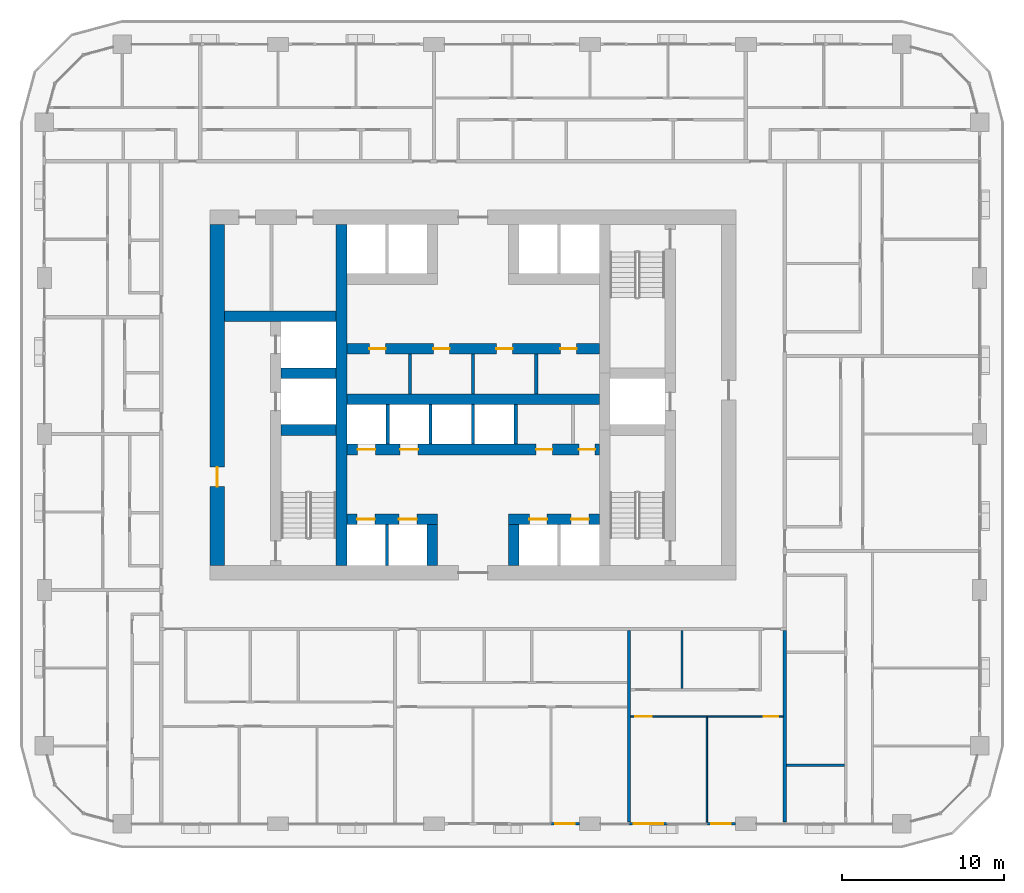
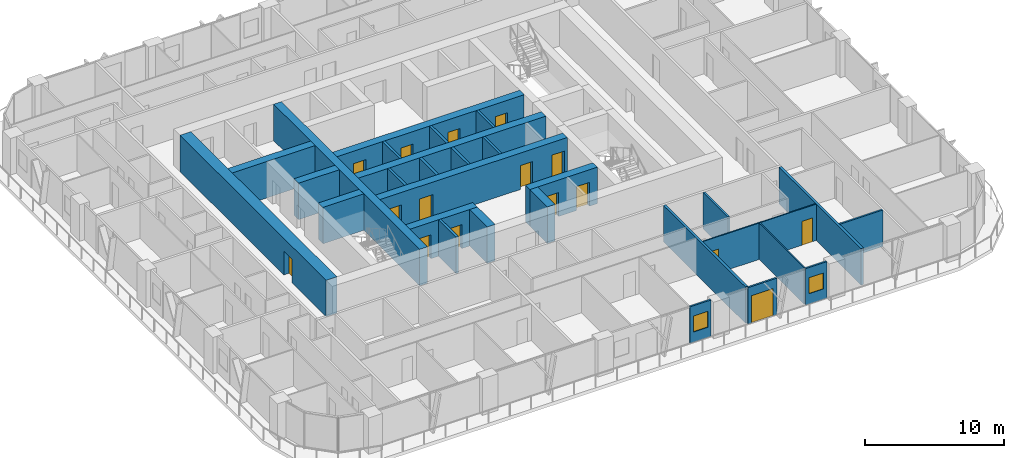
# One storey, part 11 of 22: 29 walls, 16 doors, 2 windows, 18 openings.
"""IFC4 building model written with IfcOpenShell, lengths in metres."""

from ifc_helpers import new_model, si_unit, direction, frame, frame_2d, origin, place, context, subcontext, project, spatial, rectangle, extrude, material, layer, layer_set, type_object, element, fill, save


model = new_model("IFC4")

# Units and contexts
model_context = context("Model", 3, precision=1e-05, world=origin(), true_north=direction((0.0, 1.0)))
body_context = subcontext(model_context, "Body", "Model", "MODEL_VIEW")
ifc_project = project(units=[si_unit("LENGTHUNIT", "METRE"), si_unit("AREAUNIT", "SQUARE_METRE"), si_unit("VOLUMEUNIT", "CUBIC_METRE"), si_unit("PLANEANGLEUNIT", "RADIAN"), si_unit("MASSUNIT", "GRAM", prefix="KILO")], contexts=[model_context])

# Site, building, storey
site_placement = place(None, origin())
site = spatial("IfcSite", under=ifc_project, at=site_placement, CompositionType="ELEMENT")
building_placement = place(site_placement, origin())
building = spatial("IfcBuilding", under=site, at=building_placement, Name="Madar Terraces", CompositionType="ELEMENT")
storey_placement = place(building_placement, frame((0.0, 0.0, 59.300048828125)))
storey = spatial("IfcBuildingStorey", under=building, at=storey_placement, Name="L14", CompositionType="ELEMENT", Elevation=59.300048828125)

# Walls
ifc_material_1 = material(Name="Concrete C80/95", Category="concrete")
ifc_layer_1 = layer(ifc_material_1, 0.64990234375)
ifc_layer_set_1 = layer_set([ifc_layer_1], Name="Concrete C80/95 (CIW2 RC wall 650)")
wall_type_1 = type_object("IfcWallType", Name="CIW2 RC wall 650", PredefinedType="SHEAR", material=ifc_layer_set_1)
wall_1_placement = place(storey_placement, frame((23.10009765625, 15.89990234375, 0.0), z_axis=(0.0, 0.0, 1.0), x_axis=(0.0, 1.0, 0.0)))
element("IfcWall", 1, at=wall_1_placement, inside=storey, type_object=wall_type_1, Name="CORE SHAFT WALL", PredefinedType="SHEAR", context=body_context, shape_type="SweptSolid", body=[
    extrude(rectangle(XDim=21.0, YDim=0.64990234375, at=frame_2d((10.5, 0.0))), origin(), (0.0, 0.0, 1.0), 3.199951171875),
])
for number, where, z_axis, x_axis, name in (
    (2, (19.375, 24.25, 0.0), (0.0, 0.0, 1.0), (1.0, 0.0, 0.0), "CORE SHAFT WALL"),
    (3, (19.375, 27.75, 0.0), (0.0, 0.0, 1.0), (1.0, 0.0, 0.0), "CORE SHAFT WALL"),
):
    element("IfcWall", number, at=place(storey_placement, frame(where, z_axis=z_axis, x_axis=x_axis)), inside=storey, type_object=wall_type_1, Name=name, PredefinedType="SHEAR", context=body_context, shape_type="SweptSolid", body=[
        extrude(rectangle(XDim=3.39990234375, YDim=0.64990234375, at=frame_2d((1.699951171875, 0.0))), origin(), (0.0, 0.0, 1.0), 3.199951171875),
    ])
wall_2_placement = place(storey_placement, frame((15.89990234375, 31.25, 0.0), z_axis=(0.0, 0.0, 1.0), x_axis=(1.0, 0.0, 0.0)))
element("IfcWall", 4, at=wall_2_placement, inside=storey, type_object=wall_type_1, Name="CORE SHAFT WALL", PredefinedType="SHEAR", context=body_context, shape_type="SweptSolid", body=[
    extrude(rectangle(XDim=6.875, YDim=0.64990234375, at=frame_2d((3.4375, 0.0))), origin(), (0.0, 0.0, 1.0), 3.199951171875),
])

# Wall, openings, doors
wall_3_placement = place(storey_placement, frame((23.425048828125, 18.75, 0.0), z_axis=(0.0, 0.0, 1.0), x_axis=(1.0, 0.0, 0.0)))
wall_3 = element("IfcWall", 5, at=wall_3_placement, inside=storey, type_object=wall_type_1, Name="CORE SHAFT WALL", PredefinedType="SHEAR", context=body_context, shape_type="SweptSolid", body=[
    extrude(rectangle(XDim=5.599853515625, YDim=0.64990234375, at=frame_2d((2.7998046875, 0.0))), origin(), (0.0, 0.0, 1.0), 3.199951171875),
])
opening_1_placement = place(wall_3_placement, frame((0.637451171875, 0.0, 0.0)))
opening_1 = element("IfcOpeningElement", 6, at=opening_1_placement, cuts=wall_3, Name="Opening LD", PredefinedType="OPENING", context=body_context, shape_type="SweptSolid", body=[
    extrude(rectangle(XDim=1.10009765625, YDim=2.10009765625, at=frame_2d((0.550048828125, 1.050048828125))), frame((0.0, 0.3349609375, 0.0), z_axis=(0.0, -1.0, 0.0), x_axis=(1.0, 0.0, 0.0)), (0.0, 0.0, 1.0), 0.669921875),
])
opening_2_placement = place(wall_3_placement, frame((3.21240234375, 0.0, 0.0)))
opening_2 = element("IfcOpeningElement", 7, at=opening_2_placement, cuts=wall_3, Name="Opening LD", PredefinedType="OPENING", context=body_context, shape_type="SweptSolid", body=[
    extrude(rectangle(XDim=1.10009765625, YDim=2.10009765625, at=frame_2d((0.550048828125, 1.050048828125))), frame((0.0, 0.3349609375, 0.0), z_axis=(0.0, -1.0, 0.0), x_axis=(1.0, 0.0, 0.0)), (0.0, 0.0, 1.0), 0.669921875),
])
ifc_material_2 = material(Name="Stainless steel panel", Category="steel")
door_type_1 = type_object("IfcDoorType", Name="Lift landing door 1100 x 2100", OperationType="DOUBLE_DOOR_SLIDING", PredefinedType="DOOR", material=ifc_material_2)
door_1_placement = place(opening_1_placement, origin())
door_1 = element("IfcDoor", 8, at=door_1_placement, inside=storey, type_object=door_type_1, Name="LIFT LANDING DOOR", OperationType="DOUBLE_DOOR_SLIDING", OverallHeight=2.10009765625, OverallWidth=1.10009765625, PredefinedType="DOOR", context=body_context, shape_type="SweptSolid", body=[
    extrude(rectangle(XDim=1.10009765625, YDim=2.10009765625, at=frame_2d((0.550048828125, 1.050048828125))), frame((0.0, 0.02490234375, 0.0), z_axis=(0.0, -1.0, 0.0), x_axis=(1.0, 0.0, 0.0)), (0.0, 0.0, 1.0), 0.050048828125),
])
fill(opening_1, door_1)
door_2_placement = place(opening_2_placement, origin())
door_2 = element("IfcDoor", 9, at=door_2_placement, inside=storey, type_object=door_type_1, Name="LIFT LANDING DOOR", OperationType="DOUBLE_DOOR_SLIDING", OverallHeight=2.10009765625, OverallWidth=1.10009765625, PredefinedType="DOOR", context=body_context, shape_type="SweptSolid", body=[
    extrude(rectangle(XDim=1.10009765625, YDim=2.10009765625, at=frame_2d((0.550048828125, 1.050048828125))), frame((0.0, 0.02490234375, 0.0), z_axis=(0.0, -1.0, 0.0), x_axis=(1.0, 0.0, 0.0)), (0.0, 0.0, 1.0), 0.050048828125),
])
fill(opening_2, door_2)

wall_4_placement = place(storey_placement, frame((33.375, 18.75, 0.0), z_axis=(0.0, 0.0, 1.0), x_axis=(1.0, 0.0, 0.0)))
wall_4 = element("IfcWall", 10, at=wall_4_placement, inside=storey, type_object=wall_type_1, Name="CORE SHAFT WALL", PredefinedType="SHEAR", context=body_context, shape_type="SweptSolid", body=[
    extrude(rectangle(XDim=5.60009765625, YDim=0.64990234375, at=frame_2d((2.800048828125, 0.0))), origin(), (0.0, 0.0, 1.0), 3.199951171875),
])
opening_3_placement = place(wall_4_placement, frame((1.28759765625, 0.0, 0.0)))
opening_3 = element("IfcOpeningElement", 11, at=opening_3_placement, cuts=wall_4, Name="Opening LD", PredefinedType="OPENING", context=body_context, shape_type="SweptSolid", body=[
    extrude(rectangle(XDim=1.10009765625, YDim=2.10009765625, at=frame_2d((0.550048828125, 1.050048828125))), frame((0.0, 0.3349609375, 0.0), z_axis=(0.0, -1.0, 0.0), x_axis=(1.0, 0.0, 0.0)), (0.0, 0.0, 1.0), 0.669921875),
])
opening_4_placement = place(wall_4_placement, frame((3.862548828125, 0.0, 0.0)))
opening_4 = element("IfcOpeningElement", 12, at=opening_4_placement, cuts=wall_4, Name="Opening LD", PredefinedType="OPENING", context=body_context, shape_type="SweptSolid", body=[
    extrude(rectangle(XDim=1.10009765625, YDim=2.10009765625, at=frame_2d((0.550048828125, 1.050048828125))), frame((0.0, 0.3349609375, 0.0), z_axis=(0.0, -1.0, 0.0), x_axis=(1.0, 0.0, 0.0)), (0.0, 0.0, 1.0), 0.669921875),
])
door_3_placement = place(opening_3_placement, origin())
door_3 = element("IfcDoor", 13, at=door_3_placement, inside=storey, type_object=door_type_1, Name="LIFT LANDING DOOR", OperationType="DOUBLE_DOOR_SLIDING", OverallHeight=2.10009765625, OverallWidth=1.10009765625, PredefinedType="DOOR", context=body_context, shape_type="SweptSolid", body=[
    extrude(rectangle(XDim=1.10009765625, YDim=2.10009765625, at=frame_2d((0.550048828125, 1.050048828125))), frame((0.0, 0.02490234375, 0.0), z_axis=(0.0, -1.0, 0.0), x_axis=(1.0, 0.0, 0.0)), (0.0, 0.0, 1.0), 0.050048828125),
])
fill(opening_3, door_3)
door_4_placement = place(opening_4_placement, origin())
door_4 = element("IfcDoor", 14, at=door_4_placement, inside=storey, type_object=door_type_1, Name="LIFT LANDING DOOR", OperationType="DOUBLE_DOOR_SLIDING", OverallHeight=2.10009765625, OverallWidth=1.10009765625, PredefinedType="DOOR", context=body_context, shape_type="SweptSolid", body=[
    extrude(rectangle(XDim=1.10009765625, YDim=2.10009765625, at=frame_2d((0.550048828125, 1.050048828125))), frame((0.0, 0.02490234375, 0.0), z_axis=(0.0, -1.0, 0.0), x_axis=(1.0, 0.0, 0.0)), (0.0, 0.0, 1.0), 0.050048828125),
])
fill(opening_4, door_4)

wall_5_placement = place(storey_placement, frame((23.425048828125, 23.050048828125, 0.0), z_axis=(0.0, 0.0, 1.0), x_axis=(1.0, 0.0, 0.0)))
wall_5 = element("IfcWall", 15, at=wall_5_placement, inside=storey, type_object=wall_type_1, Name="CORE SHAFT WALL", PredefinedType="SHEAR", context=body_context, shape_type="SweptSolid", body=[
    extrude(rectangle(XDim=15.550048828125, YDim=0.64990234375, at=frame_2d((7.77490234375, 0.0))), origin(), (0.0, 0.0, 1.0), 3.199951171875),
])
opening_5_placement = place(wall_5_placement, frame((0.66259765625, 0.0, 0.0)))
opening_5 = element("IfcOpeningElement", 16, at=opening_5_placement, cuts=wall_5, Name="Opening LD", PredefinedType="OPENING", context=body_context, shape_type="SweptSolid", body=[
    extrude(rectangle(XDim=1.10009765625, YDim=2.10009765625, at=frame_2d((0.550048828125, 1.050048828125))), frame((0.0, 0.3349609375, 0.0), z_axis=(0.0, -1.0, 0.0), x_axis=(1.0, 0.0, 0.0)), (0.0, 0.0, 1.0), 0.669921875),
])
opening_6_placement = place(wall_5_placement, frame((3.28759765625, 0.0, 0.0)))
opening_6 = element("IfcOpeningElement", 17, at=opening_6_placement, cuts=wall_5, Name="Opening LD", PredefinedType="OPENING", context=body_context, shape_type="SweptSolid", body=[
    extrude(rectangle(XDim=1.10009765625, YDim=2.10009765625, at=frame_2d((0.550048828125, 1.050048828125))), frame((0.0, 0.3349609375, 0.0), z_axis=(0.0, -1.0, 0.0), x_axis=(1.0, 0.0, 0.0)), (0.0, 0.0, 1.0), 0.669921875),
])
opening_7_placement = place(wall_5_placement, frame((11.6669921875, 0.0, 0.0)))
opening_7 = element("IfcOpeningElement", 18, at=opening_7_placement, cuts=wall_5, Name="Opening KD2", PredefinedType="OPENING", context=body_context, shape_type="SweptSolid", body=[
    extrude(rectangle(XDim=1.0, YDim=2.10009765625, at=frame_2d((0.5, 1.050048828125))), frame((0.0, 0.3349609375, 0.0), z_axis=(0.0, -1.0, 0.0), x_axis=(1.0, 0.0, 0.0)), (0.0, 0.0, 1.0), 0.669921875),
])
opening_8_placement = place(wall_5_placement, frame((14.2919921875, 0.0, 0.0)))
opening_8 = element("IfcOpeningElement", 19, at=opening_8_placement, cuts=wall_5, Name="Opening KD2", PredefinedType="OPENING", context=body_context, shape_type="SweptSolid", body=[
    extrude(rectangle(XDim=1.0, YDim=2.10009765625, at=frame_2d((0.5, 1.050048828125))), frame((0.0, 0.3349609375, 0.0), z_axis=(0.0, -1.0, 0.0), x_axis=(1.0, 0.0, 0.0)), (0.0, 0.0, 1.0), 0.669921875),
])
door_5_placement = place(opening_5_placement, origin())
door_5 = element("IfcDoor", 20, at=door_5_placement, inside=storey, type_object=door_type_1, Name="LIFT LANDING DOOR", OperationType="DOUBLE_DOOR_SLIDING", OverallHeight=2.10009765625, OverallWidth=1.10009765625, PredefinedType="DOOR", context=body_context, shape_type="SweptSolid", body=[
    extrude(rectangle(XDim=1.10009765625, YDim=2.10009765625, at=frame_2d((0.550048828125, 1.050048828125))), frame((0.0, 0.02490234375, 0.0), z_axis=(0.0, -1.0, 0.0), x_axis=(1.0, 0.0, 0.0)), (0.0, 0.0, 1.0), 0.050048828125),
])
fill(opening_5, door_5)
door_6_placement = place(opening_6_placement, origin())
door_6 = element("IfcDoor", 21, at=door_6_placement, inside=storey, type_object=door_type_1, Name="LIFT LANDING DOOR", OperationType="DOUBLE_DOOR_SLIDING", OverallHeight=2.10009765625, OverallWidth=1.10009765625, PredefinedType="DOOR", context=body_context, shape_type="SweptSolid", body=[
    extrude(rectangle(XDim=1.10009765625, YDim=2.10009765625, at=frame_2d((0.550048828125, 1.050048828125))), frame((0.0, 0.02490234375, 0.0), z_axis=(0.0, -1.0, 0.0), x_axis=(1.0, 0.0, 0.0)), (0.0, 0.0, 1.0), 0.050048828125),
])
fill(opening_6, door_6)
ifc_material_3 = material(Name="Steel door leaf", Category="steel")
door_type_2 = type_object("IfcDoorType", Name="Service room door 1000 x 2100", OperationType="NOTDEFINED", PredefinedType="DOOR", material=ifc_material_3)
door_7_placement = place(opening_7_placement, frame((1.0, 0.0, 0.0), z_axis=(0.0, 0.0, 1.0), x_axis=(-1.0, 0.0, 0.0)))
door_7 = element("IfcDoor", 22, at=door_7_placement, inside=storey, type_object=door_type_2, Name="SERVICE ROOM DOOR", OperationType="SINGLE_SWING_LEFT", OverallHeight=2.10009765625, OverallWidth=1.0, PredefinedType="DOOR", context=body_context, shape_type="SweptSolid", body=[
    extrude(rectangle(XDim=1.0, YDim=2.10009765625, at=frame_2d((0.5, 1.050048828125))), frame((0.0, 0.02490234375, 0.0), z_axis=(0.0, -1.0, 0.0), x_axis=(1.0, 0.0, 0.0)), (0.0, 0.0, 1.0), 0.050048828125),
])
fill(opening_7, door_7)
door_8_placement = place(opening_8_placement, frame((1.0, 0.0, 0.0), z_axis=(0.0, 0.0, 1.0), x_axis=(-1.0, 0.0, 0.0)))
door_8 = element("IfcDoor", 23, at=door_8_placement, inside=storey, type_object=door_type_2, Name="SERVICE ROOM DOOR", OperationType="SINGLE_SWING_RIGHT", OverallHeight=2.10009765625, OverallWidth=1.0, PredefinedType="DOOR", context=body_context, shape_type="SweptSolid", body=[
    extrude(rectangle(XDim=1.0, YDim=2.10009765625, at=frame_2d((0.5, 1.050048828125))), frame((0.0, 0.02490234375, 0.0), z_axis=(0.0, -1.0, 0.0), x_axis=(1.0, 0.0, 0.0)), (0.0, 0.0, 1.0), 0.050048828125),
])
fill(opening_8, door_8)

# Wall
wall_6_placement = place(storey_placement, frame((23.425048828125, 26.14990234375, 0.0), z_axis=(0.0, 0.0, 1.0), x_axis=(1.0, 0.0, 0.0)))
element("IfcWall", 24, at=wall_6_placement, inside=storey, type_object=wall_type_1, Name="CORE SHAFT WALL", PredefinedType="SHEAR", context=body_context, shape_type="SweptSolid", body=[
    extrude(rectangle(XDim=15.550048828125, YDim=0.64990234375, at=frame_2d((7.77490234375, 0.0))), origin(), (0.0, 0.0, 1.0), 3.199951171875),
])

# Wall, openings, doors
wall_7_placement = place(storey_placement, frame((23.425048828125, 29.25, 0.0), z_axis=(0.0, 0.0, 1.0), x_axis=(1.0, 0.0, 0.0)))
wall_7 = element("IfcWall", 25, at=wall_7_placement, inside=storey, type_object=wall_type_1, Name="CORE SHAFT WALL", PredefinedType="SHEAR", context=body_context, shape_type="SweptSolid", body=[
    extrude(rectangle(XDim=15.550048828125, YDim=0.64990234375, at=frame_2d((7.77490234375, 0.0))), origin(), (0.0, 0.0, 1.0), 3.199951171875),
])
opening_9_placement = place(wall_7_placement, frame((1.393798828125, 0.0, 0.0)))
opening_9 = element("IfcOpeningElement", 26, at=opening_9_placement, cuts=wall_7, Name="Opening KD2", PredefinedType="OPENING", context=body_context, shape_type="SweptSolid", body=[
    extrude(rectangle(XDim=1.0, YDim=2.10009765625, at=frame_2d((0.5, 1.050048828125))), frame((0.0, 0.3349609375, 0.0), z_axis=(0.0, -1.0, 0.0), x_axis=(1.0, 0.0, 0.0)), (0.0, 0.0, 1.0), 0.669921875),
])
opening_10_placement = place(wall_7_placement, frame((5.331298828125, 0.0, 0.0)))
opening_10 = element("IfcOpeningElement", 27, at=opening_10_placement, cuts=wall_7, Name="Opening KD2", PredefinedType="OPENING", context=body_context, shape_type="SweptSolid", body=[
    extrude(rectangle(XDim=1.0, YDim=2.10009765625, at=frame_2d((0.5, 1.050048828125))), frame((0.0, 0.3349609375, 0.0), z_axis=(0.0, -1.0, 0.0), x_axis=(1.0, 0.0, 0.0)), (0.0, 0.0, 1.0), 0.669921875),
])
opening_11_placement = place(wall_7_placement, frame((9.21875, 0.0, 0.0)))
opening_11 = element("IfcOpeningElement", 28, at=opening_11_placement, cuts=wall_7, Name="Opening KD2", PredefinedType="OPENING", context=body_context, shape_type="SweptSolid", body=[
    extrude(rectangle(XDim=1.0, YDim=2.10009765625, at=frame_2d((0.5, 1.050048828125))), frame((0.0, 0.3349609375, 0.0), z_axis=(0.0, -1.0, 0.0), x_axis=(1.0, 0.0, 0.0)), (0.0, 0.0, 1.0), 0.669921875),
])
opening_12_placement = place(wall_7_placement, frame((13.15625, 0.0, 0.0)))
opening_12 = element("IfcOpeningElement", 29, at=opening_12_placement, cuts=wall_7, Name="Opening KD2", PredefinedType="OPENING", context=body_context, shape_type="SweptSolid", body=[
    extrude(rectangle(XDim=1.0, YDim=2.10009765625, at=frame_2d((0.5, 1.050048828125))), frame((0.0, 0.3349609375, 0.0), z_axis=(0.0, -1.0, 0.0), x_axis=(1.0, 0.0, 0.0)), (0.0, 0.0, 1.0), 0.669921875),
])
door_9_placement = place(opening_9_placement, origin())
door_9 = element("IfcDoor", 30, at=door_9_placement, inside=storey, type_object=door_type_2, Name="SERVICE ROOM DOOR", OperationType="SINGLE_SWING_LEFT", OverallHeight=2.10009765625, OverallWidth=1.0, PredefinedType="DOOR", context=body_context, shape_type="SweptSolid", body=[
    extrude(rectangle(XDim=1.0, YDim=2.10009765625, at=frame_2d((0.5, 1.050048828125))), frame((0.0, 0.02490234375, 0.0), z_axis=(0.0, -1.0, 0.0), x_axis=(1.0, 0.0, 0.0)), (0.0, 0.0, 1.0), 0.050048828125),
])
fill(opening_9, door_9)
door_10_placement = place(opening_10_placement, origin())
door_10 = element("IfcDoor", 31, at=door_10_placement, inside=storey, type_object=door_type_2, Name="SERVICE ROOM DOOR", OperationType="SINGLE_SWING_RIGHT", OverallHeight=2.10009765625, OverallWidth=1.0, PredefinedType="DOOR", context=body_context, shape_type="SweptSolid", body=[
    extrude(rectangle(XDim=1.0, YDim=2.10009765625, at=frame_2d((0.5, 1.050048828125))), frame((0.0, 0.02490234375, 0.0), z_axis=(0.0, -1.0, 0.0), x_axis=(1.0, 0.0, 0.0)), (0.0, 0.0, 1.0), 0.050048828125),
])
fill(opening_10, door_10)
door_11_placement = place(opening_11_placement, origin())
door_11 = element("IfcDoor", 32, at=door_11_placement, inside=storey, type_object=door_type_2, Name="SERVICE ROOM DOOR", OperationType="SINGLE_SWING_LEFT", OverallHeight=2.10009765625, OverallWidth=1.0, PredefinedType="DOOR", context=body_context, shape_type="SweptSolid", body=[
    extrude(rectangle(XDim=1.0, YDim=2.10009765625, at=frame_2d((0.5, 1.050048828125))), frame((0.0, 0.02490234375, 0.0), z_axis=(0.0, -1.0, 0.0), x_axis=(1.0, 0.0, 0.0)), (0.0, 0.0, 1.0), 0.050048828125),
])
fill(opening_11, door_11)
door_12_placement = place(opening_12_placement, origin())
door_12 = element("IfcDoor", 33, at=door_12_placement, inside=storey, type_object=door_type_2, Name="SERVICE ROOM DOOR", OperationType="SINGLE_SWING_RIGHT", OverallHeight=2.10009765625, OverallWidth=1.0, PredefinedType="DOOR", context=body_context, shape_type="SweptSolid", body=[
    extrude(rectangle(XDim=1.0, YDim=2.10009765625, at=frame_2d((0.5, 1.050048828125))), frame((0.0, 0.02490234375, 0.0), z_axis=(0.0, -1.0, 0.0), x_axis=(1.0, 0.0, 0.0)), (0.0, 0.0, 1.0), 0.050048828125),
])
fill(opening_12, door_12)

# Walls
for number, where, z_axis, x_axis, name in (
    (34, (28.699951171875, 15.89990234375, 0.0), (0.0, 0.0, 1.0), (0.0, 1.0, 0.0), "CORE SHAFT WALL"),
    (35, (33.699951171875, 15.89990234375, 0.0), (0.0, 0.0, 1.0), (0.0, 1.0, 0.0), "CORE SHAFT WALL"),
):
    element("IfcWall", number, at=place(storey_placement, frame(where, z_axis=z_axis, x_axis=x_axis)), inside=storey, type_object=wall_type_1, Name=name, PredefinedType="SHEAR", context=body_context, shape_type="SweptSolid", body=[
        extrude(rectangle(XDim=2.525146484375, YDim=0.64990234375, at=frame_2d((1.2626953125, 0.0))), origin(), (0.0, 0.0, 1.0), 3.199951171875),
    ])

# Wall, opening, door
ifc_material_4 = material(Name="Concrete C80/95", Category="concrete")
ifc_layer_2 = layer(ifc_material_4, 0.89990234375)
ifc_layer_set_2 = layer_set([ifc_layer_2], Name="Concrete C80/95 (CRW2 RC wall 900)")
wall_type_2 = type_object("IfcWallType", Name="CRW2 RC wall 900", PredefinedType="SHEAR", material=ifc_layer_set_2)
wall_8_placement = place(storey_placement, frame((15.449951171875, 15.89990234375, 0.0), z_axis=(0.0, 0.0, 1.0), x_axis=(0.0, 1.0, 0.0)))
wall_8 = element("IfcWall", 36, at=wall_8_placement, inside=storey, type_object=wall_type_2, Name="CORE OUTER WALL", PredefinedType="SHEAR", context=body_context, shape_type="SweptSolid", body=[
    extrude(rectangle(XDim=21.0, YDim=0.89990234375, at=frame_2d((10.5, 0.0))), origin(), (0.0, 0.0, 1.0), 3.199951171875),
])
opening_13_placement = place(wall_8_placement, frame((4.860107421875, 0.0, 0.0)))
opening_13 = element("IfcOpeningElement", 37, at=opening_13_placement, cuts=wall_8, Name="Opening SD1", PredefinedType="OPENING", context=body_context, shape_type="SweptSolid", body=[
    extrude(rectangle(XDim=1.199951171875, YDim=2.10009765625, at=frame_2d((0.60009765625, 1.050048828125))), frame((0.0, 0.4599609375, 0.0), z_axis=(0.0, -1.0, 0.0), x_axis=(1.0, 0.0, 0.0)), (0.0, 0.0, 1.0), 0.919921875),
])
ifc_material_5 = material(Name="Steel door leaf", Category="steel")
door_type_3 = type_object("IfcDoorType", Name="Stair door 1200 x 2100", OperationType="NOTDEFINED", PredefinedType="DOOR", material=ifc_material_5)
door_13_placement = place(opening_13_placement, frame((1.199951171875, 0.0, 0.0), z_axis=(0.0, 0.0, 1.0), x_axis=(-1.0, 0.0, 0.0)))
door_13 = element("IfcDoor", 38, at=door_13_placement, inside=storey, type_object=door_type_3, Name="STAIR DOOR", OperationType="SINGLE_SWING_LEFT", OverallHeight=2.10009765625, OverallWidth=1.199951171875, PredefinedType="DOOR", context=body_context, shape_type="SweptSolid", body=[
    extrude(rectangle(XDim=1.199951171875, YDim=2.10009765625, at=frame_2d((0.60009765625, 1.050048828125))), frame((0.0, 0.02490234375, 0.0), z_axis=(0.0, -1.0, 0.0), x_axis=(1.0, 0.0, 0.0)), (0.0, 0.0, 1.0), 0.050048828125),
])
fill(opening_13, door_13)

# Walls
ifc_material_6 = material(Name="Masonry blockwork", Category="masonry")
ifc_layer_3 = layer(ifc_material_6, 0.199951171875)
ifc_layer_set_3 = layer_set([ifc_layer_3], Name="Core partition 200 blockwork")
wall_type_3 = type_object("IfcWallType", Name="Core partition 200 blockwork", PredefinedType="PARTITIONING", material=ifc_layer_set_3)
for number, where, z_axis, x_axis, name in (
    (39, (27.3125, 26.47509765625, 0.0), (0.0, 0.0, 1.0), (0.0, 1.0, 0.0), "SERVICE ROOM PARTITION"),
    (40, (31.199951171875, 26.47509765625, 0.0), (0.0, 0.0, 1.0), (0.0, 1.0, 0.0), "SERVICE ROOM PARTITION"),
    (41, (35.08740234375, 26.47509765625, 0.0), (0.0, 0.0, 1.0), (0.0, 1.0, 0.0), "SERVICE ROOM PARTITION"),
):
    element("IfcWall", number, at=place(storey_placement, frame(where, z_axis=z_axis, x_axis=x_axis)), inside=storey, type_object=wall_type_3, Name=name, PredefinedType="PARTITIONING", context=body_context, shape_type="SweptSolid", body=[
        extrude(rectangle(XDim=2.449951171875, YDim=0.199951171875, at=frame_2d((1.22509765625, 0.0))), origin(), (0.0, 0.0, 1.0), 3.199951171875),
    ])
ifc_material_7 = material(Name="Concrete C40/50", Category="concrete")
ifc_layer_4 = layer(ifc_material_7, 0.199951171875)
ifc_layer_set_4 = layer_set([ifc_layer_4], Name="Core shaft dividing wall 200 C40/50")
wall_type_4 = type_object("IfcWallType", Name="Core shaft dividing wall 200 C40/50", PredefinedType="SOLIDWALL", material=ifc_layer_set_4)
for number, where, z_axis, x_axis, name in (
    (42, (25.949951171875, 23.375, 0.0), (0.0, 0.0, 1.0), (0.0, 1.0, 0.0), "SHAFT DIVIDING WALL"),
    (43, (28.574951171875, 23.375, 0.0), (0.0, 0.0, 1.0), (0.0, 1.0, 0.0), "SHAFT DIVIDING WALL"),
    (44, (31.199951171875, 23.375, 0.0), (0.0, 0.0, 1.0), (0.0, 1.0, 0.0), "SHAFT DIVIDING WALL"),
    (45, (33.824951171875, 23.375, 0.0), (0.0, 0.0, 1.0), (0.0, 1.0, 0.0), "SHAFT DIVIDING WALL"),
):
    element("IfcWall", number, at=place(storey_placement, frame(where, z_axis=z_axis, x_axis=x_axis)), inside=storey, type_object=wall_type_4, Name=name, PredefinedType="SOLIDWALL", context=body_context, shape_type="SweptSolid", body=[
        extrude(rectangle(XDim=2.449951171875, YDim=0.199951171875, at=frame_2d((1.22509765625, 0.0))), origin(), (0.0, 0.0, 1.0), 3.199951171875),
    ])
wall_9_placement = place(storey_placement, frame((25.89990234375, 15.89990234375, 0.0), z_axis=(0.0, 0.0, 1.0), x_axis=(0.0, 1.0, 0.0)))
element("IfcWall", 46, at=wall_9_placement, inside=storey, type_object=wall_type_4, Name="SHAFT DIVIDING WALL", PredefinedType="SOLIDWALL", context=body_context, shape_type="SweptSolid", body=[
    extrude(rectangle(XDim=2.525146484375, YDim=0.199951171875, at=frame_2d((1.2626953125, 0.0))), origin(), (0.0, 0.0, 1.0), 3.199951171875),
])

# Wall, opening, window
ifc_material_8 = material(Name="Aluminium composite panel, black, over insulated backing", Category="aluminium")
ifc_layer_5 = layer(ifc_material_8, 0.14990234375)
ifc_layer_set_5 = layer_set([ifc_layer_5], Name="Facade bay panel 150")
wall_type_5 = type_object("IfcWallType", Name="Facade bay panel 150", PredefinedType="SOLIDWALL", material=ifc_layer_set_5)
wall_10_placement = place(storey_placement, frame((36.0, 0.0, 0.0), z_axis=(0.0, 0.0, 1.0), x_axis=(1.0, 0.0, 0.0)))
wall_10 = element("IfcWall", 47, at=wall_10_placement, inside=storey, type_object=wall_type_5, Name="Facade bay panel", PredefinedType="SOLIDWALL", context=body_context, shape_type="SweptSolid", body=[
    extrude(rectangle(XDim=1.75, YDim=0.14990234375, at=frame_2d((0.875, 0.0))), origin(), (0.0, 0.0, 1.0), 3.199951171875),
])
opening_14_placement = place(wall_10_placement, frame((0.27490234375, 0.0, 0.89990234375)))
opening_14 = element("IfcOpeningElement", 48, at=opening_14_placement, cuts=wall_10, Name="Opening W1", PredefinedType="OPENING", context=body_context, shape_type="SweptSolid", body=[
    extrude(rectangle(XDim=1.199951171875, YDim=1.39990234375, at=frame_2d((0.60009765625, 0.699951171875))), frame((0.0, 0.0849609375, 0.0), z_axis=(0.0, -1.0, 0.0), x_axis=(1.0, 0.0, 0.0)), (0.0, 0.0, 1.0), 0.169921875),
])
ifc_material_9 = material(Name="Glass, clear, with black aluminium frame", Category="aluminium")
window_type = type_object("IfcWindowType", Name="Vent window 1200 x 1400", PartitioningType="SINGLE_PANEL", PredefinedType="WINDOW", material=ifc_material_9)
window_1_placement = place(opening_14_placement, origin())
window_1 = element("IfcWindow", 49, at=window_1_placement, inside=storey, type_object=window_type, Name="Operable vent window", OverallHeight=1.39990234375, OverallWidth=1.199951171875, PartitioningType="SINGLE_PANEL", PredefinedType="WINDOW", context=body_context, shape_type="SweptSolid", body=[
    extrude(rectangle(XDim=1.199951171875, YDim=1.39990234375, at=frame_2d((0.60009765625, 0.699951171875))), frame((0.0, 0.030029296875, 0.0), z_axis=(0.0, -1.0, 0.0), x_axis=(1.0, 0.0, 0.0)), (0.0, 0.0, 1.0), 0.06005859375),
])
fill(opening_14, window_1)

# Wall, opening, door
wall_11_placement = place(storey_placement, frame((40.800048828125, 0.0, 0.0), z_axis=(0.0, 0.0, 1.0), x_axis=(1.0, 0.0, 0.0)))
wall_11 = element("IfcWall", 50, at=wall_11_placement, inside=storey, type_object=wall_type_5, Name="Facade bay panel", PredefinedType="SOLIDWALL", context=body_context, shape_type="SweptSolid", body=[
    extrude(rectangle(XDim=2.39990234375, YDim=0.14990234375, at=frame_2d((1.199951171875, 0.0))), origin(), (0.0, 0.0, 1.0), 3.199951171875),
])
opening_15_placement = place(wall_11_placement, frame((0.300048828125, 0.0, 0.0)))
opening_15 = element("IfcOpeningElement", 51, at=opening_15_placement, cuts=wall_11, Name="Opening ED1", PredefinedType="OPENING", context=body_context, shape_type="SweptSolid", body=[
    extrude(rectangle(XDim=1.800048828125, YDim=2.39990234375, at=frame_2d((0.89990234375, 1.199951171875))), frame((0.0, 0.0849609375, 0.0), z_axis=(0.0, -1.0, 0.0), x_axis=(1.0, 0.0, 0.0)), (0.0, 0.0, 1.0), 0.169921875),
])
ifc_material_10 = material(Name="Glass, clear, with black aluminium frame", Category="aluminium")
door_type_4 = type_object("IfcDoorType", Name="Balcony and terrace sliding door 1800 x 2400", OperationType="SLIDING_TO_LEFT", PredefinedType="DOOR", material=ifc_material_10)
door_14_placement = place(opening_15_placement, origin())
door_14 = element("IfcDoor", 52, at=door_14_placement, inside=storey, type_object=door_type_4, Name="Balcony door", OperationType="SLIDING_TO_RIGHT", OverallHeight=2.39990234375, OverallWidth=1.800048828125, PredefinedType="DOOR", context=body_context, shape_type="SweptSolid", body=[
    extrude(rectangle(XDim=1.800048828125, YDim=2.39990234375, at=frame_2d((0.89990234375, 1.199951171875))), frame((0.0, 0.02490234375, 0.0), z_axis=(0.0, -1.0, 0.0), x_axis=(1.0, 0.0, 0.0)), (0.0, 0.0, 1.0), 0.050048828125),
])
fill(opening_15, door_14)

# Wall, opening, window
wall_12_placement = place(storey_placement, frame((45.60009765625, 0.0, 0.0), z_axis=(0.0, 0.0, 1.0), x_axis=(1.0, 0.0, 0.0)))
wall_12 = element("IfcWall", 53, at=wall_12_placement, inside=storey, type_object=wall_type_5, Name="Facade bay panel", PredefinedType="SOLIDWALL", context=body_context, shape_type="SweptSolid", body=[
    extrude(rectangle(XDim=1.75, YDim=0.14990234375, at=frame_2d((0.875, 0.0))), origin(), (0.0, 0.0, 1.0), 3.199951171875),
])
opening_16_placement = place(wall_12_placement, frame((0.27490234375, 0.0, 0.89990234375)))
opening_16 = element("IfcOpeningElement", 54, at=opening_16_placement, cuts=wall_12, Name="Opening W1", PredefinedType="OPENING", context=body_context, shape_type="SweptSolid", body=[
    extrude(rectangle(XDim=1.199951171875, YDim=1.39990234375, at=frame_2d((0.60009765625, 0.699951171875))), frame((0.0, 0.0849609375, 0.0), z_axis=(0.0, -1.0, 0.0), x_axis=(1.0, 0.0, 0.0)), (0.0, 0.0, 1.0), 0.169921875),
])
window_2_placement = place(opening_16_placement, origin())
window_2 = element("IfcWindow", 55, at=window_2_placement, inside=storey, type_object=window_type, Name="Operable vent window", OverallHeight=1.39990234375, OverallWidth=1.199951171875, PartitioningType="SINGLE_PANEL", PredefinedType="WINDOW", context=body_context, shape_type="SweptSolid", body=[
    extrude(rectangle(XDim=1.199951171875, YDim=1.39990234375, at=frame_2d((0.60009765625, 0.699951171875))), frame((0.0, 0.030029296875, 0.0), z_axis=(0.0, -1.0, 0.0), x_axis=(1.0, 0.0, 0.0)), (0.0, 0.0, 1.0), 0.06005859375),
])
fill(opening_16, window_2)

# Wall
ifc_material_11 = material(Name="Gypsum board on steel studs", Category="steel")
ifc_layer_6 = layer(ifc_material_11, 0.10009765625)
ifc_layer_set_6 = layer_set([ifc_layer_6], Name="Flat partition 100")
wall_type_6 = type_object("IfcWallType", Name="Flat partition 100", PredefinedType="PARTITIONING", material=ifc_layer_set_6)
wall_13_placement = place(storey_placement, frame((45.60009765625, 6.550048828125, 0.0), z_axis=(0.0, 0.0, 1.0), x_axis=(0.0, -1.0, 0.0)))
element("IfcWall", 56, at=wall_13_placement, inside=storey, type_object=wall_type_6, Name="Flat partition 100", PredefinedType="PARTITIONING", context=body_context, shape_type="SweptSolid", body=[
    extrude(rectangle(XDim=6.449951171875, YDim=0.10009765625, at=frame_2d((3.22509765625, 0.0))), origin(), (0.0, 0.0, 1.0), 3.199951171875),
])

# Wall, openings, doors
wall_14_placement = place(storey_placement, frame((50.300048828125, 6.60009765625, 0.0), z_axis=(0.0, 0.0, 1.0), x_axis=(-1.0, 0.0, 0.0)))
wall_14 = element("IfcWall", 57, at=wall_14_placement, inside=storey, type_object=wall_type_6, Name="Flat partition 100", PredefinedType="PARTITIONING", context=body_context, shape_type="SweptSolid", body=[
    extrude(rectangle(XDim=9.400146484375, YDim=0.10009765625, at=frame_2d((4.7001953125, 0.0))), origin(), (0.0, 0.0, 1.0), 3.199951171875),
])
opening_17_placement = place(wall_14_placement, frame((0.300048828125, 0.0, 0.0)))
opening_17 = element("IfcOpeningElement", 58, at=opening_17_placement, cuts=wall_14, Name="Opening D2", PredefinedType="OPENING", context=body_context, shape_type="SweptSolid", body=[
    extrude(rectangle(XDim=0.89990234375, YDim=2.10009765625, at=frame_2d((0.449951171875, 1.050048828125))), frame((0.0, 0.06005859375, 0.0), z_axis=(0.0, -1.0, 0.0), x_axis=(1.0, 0.0, 0.0)), (0.0, 0.0, 1.0), 0.1201171875),
])
opening_18_placement = place(wall_14_placement, frame((8.10009765625, 0.0, 0.0)))
opening_18 = element("IfcOpeningElement", 59, at=opening_18_placement, cuts=wall_14, Name="Opening D3", PredefinedType="OPENING", context=body_context, shape_type="SweptSolid", body=[
    extrude(rectangle(XDim=1.0, YDim=2.10009765625, at=frame_2d((0.5, 1.050048828125))), frame((0.0, 0.06005859375, 0.0), z_axis=(0.0, -1.0, 0.0), x_axis=(1.0, 0.0, 0.0)), (0.0, 0.0, 1.0), 0.1201171875),
])
ifc_material_12 = material(Name="Timber door leaf", Category="wood")
door_type_5 = type_object("IfcDoorType", Name="Flat living room door 1000", OperationType="NOTDEFINED", PredefinedType="DOOR", material=ifc_material_12)
door_15_placement = place(opening_18_placement, origin())
door_15 = element("IfcDoor", 60, at=door_15_placement, inside=storey, type_object=door_type_5, Name="Flat living room door 1000", OperationType="SINGLE_SWING_RIGHT", OverallHeight=2.10009765625, OverallWidth=1.0, PredefinedType="DOOR", context=body_context, shape_type="SweptSolid", body=[
    extrude(rectangle(XDim=1.0, YDim=2.10009765625, at=frame_2d((0.5, 1.050048828125))), frame((0.0, 0.02490234375, 0.0), z_axis=(0.0, -1.0, 0.0), x_axis=(1.0, 0.0, 0.0)), (0.0, 0.0, 1.0), 0.050048828125),
])
fill(opening_18, door_15)
ifc_material_13 = material(Name="Timber door leaf", Category="wood")
door_type_6 = type_object("IfcDoorType", Name="Flat room door 900", OperationType="NOTDEFINED", PredefinedType="DOOR", material=ifc_material_13)
door_16_placement = place(opening_17_placement, origin())
door_16 = element("IfcDoor", 61, at=door_16_placement, inside=storey, type_object=door_type_6, Name="Flat room door 900", OperationType="SINGLE_SWING_LEFT", OverallHeight=2.10009765625, OverallWidth=0.89990234375, PredefinedType="DOOR", context=body_context, shape_type="SweptSolid", body=[
    extrude(rectangle(XDim=0.89990234375, YDim=2.10009765625, at=frame_2d((0.449951171875, 1.050048828125))), frame((0.0, 0.02490234375, 0.0), z_axis=(0.0, -1.0, 0.0), x_axis=(1.0, 0.0, 0.0)), (0.0, 0.0, 1.0), 0.050048828125),
])
fill(opening_17, door_16)

# Walls
ifc_material_14 = material(Name="Lightweight blockwork", Category="masonry")
ifc_layer_7 = layer(ifc_material_14, 0.199951171875)
ifc_layer_set_7 = layer_set([ifc_layer_7], Name="Flat party and entrance wall 200")
wall_type_7 = type_object("IfcWallType", Name="Flat party and entrance wall 200", PredefinedType="PARTITIONING", material=ifc_layer_set_7)
for number, where, z_axis, x_axis, name in (
    (62, (40.800048828125, 11.89990234375, 0.0), (0.0, 0.0, 1.0), (0.0, -1.0, 0.0), "Flat party and entrance wall 200"),
    (63, (50.39990234375, 11.89990234375, 0.0), (0.0, 0.0, 1.0), (0.0, -1.0, 0.0), "Flat party and entrance wall 200"),
):
    element("IfcWall", number, at=place(storey_placement, frame(where, z_axis=z_axis, x_axis=x_axis)), inside=storey, type_object=wall_type_7, Name=name, PredefinedType="PARTITIONING", context=body_context, shape_type="SweptSolid", body=[
        extrude(rectangle(XDim=11.7998046875, YDim=0.199951171875, at=frame_2d((5.89990234375, 0.0))), origin(), (0.0, 0.0, 1.0), 3.199951171875),
    ])
ifc_material_15 = material(Name="Lightweight blockwork", Category="masonry")
ifc_layer_8 = layer(ifc_material_15, 0.14990234375)
ifc_layer_set_8 = layer_set([ifc_layer_8], Name="Flat wet-room partition 150")
wall_type_8 = type_object("IfcWallType", Name="Flat wet-room partition 150", PredefinedType="PARTITIONING", material=ifc_layer_set_8)
for number, where, z_axis, x_axis, name in (
    (64, (44.070068359375, 11.89990234375, 0.0), (0.0, 0.0, 1.0), (0.0, -1.0, 0.0), "Flat wet-room partition 150"),
    (65, (50.5, 3.59033203125, 0.0), (0.0, 0.0, 1.0), (1.0, 0.0, 0.0), "Flat wet-room partition 150"),
):
    element("IfcWall", number, at=place(storey_placement, frame(where, z_axis=z_axis, x_axis=x_axis)), inside=storey, type_object=wall_type_8, Name=name, PredefinedType="PARTITIONING", context=body_context, shape_type="SweptSolid", body=[
        extrude(rectangle(XDim=3.574951171875, YDim=0.14990234375, at=frame_2d((1.78759765625, 0.0))), origin(), (0.0, 0.0, 1.0), 3.199951171875),
    ])

save(model, "model.ifc")
